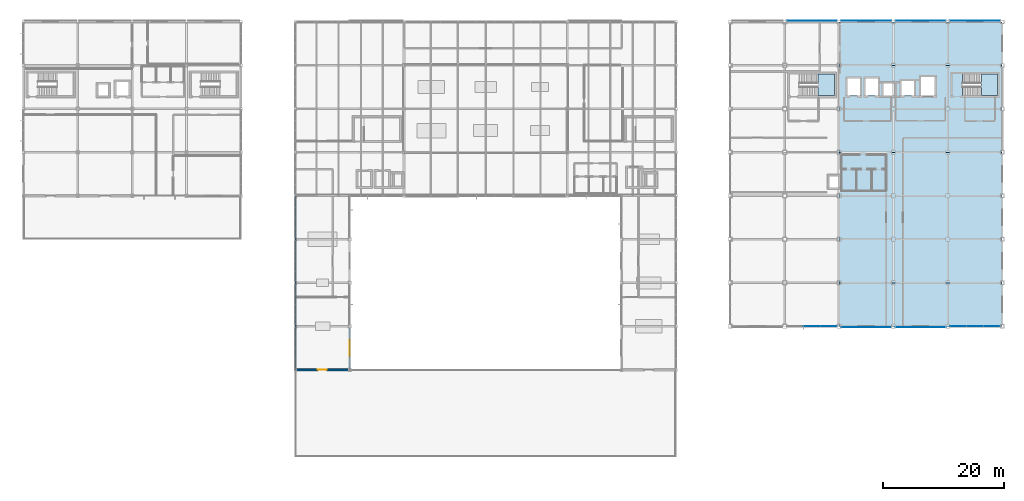
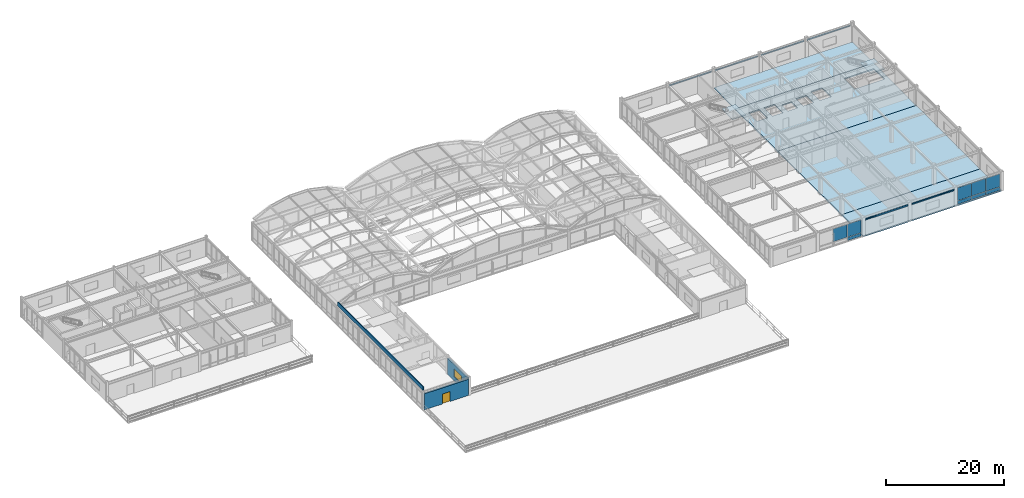
# One storey, part 83 of 106: 15 plates, 6 slabs, 3 walls, 1 door, 1 window, 2 openings, 4 elements without a shape of their own.
"""IFC4 building model written with IfcOpenShell, lengths in metres."""

from ifc_helpers import new_model, si_unit, direction, frame, frame_2d, origin, origin_2d, place, context, subcontext, project, spatial, polyline, rectangle, outline, extrude, material, layer, layer_set, type_object, element, fill, aggregate, save


model = new_model("IFC4")

# Units and contexts
model_context = context("Model", 3, precision=1e-05, world=origin(), true_north=direction((0.0, 1.0)))
body_context = subcontext(model_context, "Body", "Model", "MODEL_VIEW")
ifc_project = project(units=[si_unit("LENGTHUNIT", "METRE"), si_unit("AREAUNIT", "SQUARE_METRE"), si_unit("VOLUMEUNIT", "CUBIC_METRE"), si_unit("PLANEANGLEUNIT", "RADIAN"), si_unit("MASSUNIT", "GRAM", prefix="KILO")], contexts=[model_context])

# Site, building, storey
site_placement = place(None, origin())
site = spatial("IfcSite", under=ifc_project, at=site_placement, CompositionType="ELEMENT")
building_placement = place(site_placement, origin())
building = spatial("IfcBuilding", under=site, at=building_placement, Name="Kazanami Central Library", CompositionType="ELEMENT")
storey_placement = place(building_placement, frame((0.0, 0.0, 12.800048828125)))
storey = spatial("IfcBuildingStorey", under=building, at=storey_placement, Name="L04", CompositionType="ELEMENT", Elevation=12.800048828125)

# Curtain wall, plates
ifc_material_1 = material(Name="Acid-Etched Low-E Laminated Glass", Category="glass")
curtain_wall_type_1 = type_object("IfcCurtainWallType", Name="CW-8350x3525-M275", PredefinedType="USERDEFINED", material=ifc_material_1)
curtain_wall_1_placement = place(storey_placement, origin())
curtain_wall_1 = element("IfcCurtainWall", 1, at=curtain_wall_1_placement, inside=storey, type_object=curtain_wall_type_1, Name="Unitised Curtain Wall CW-37 L04 S-G-14", ObjectType="UNITISED CURTAIN WALL", PredefinedType="USERDEFINED")
ifc_layer_1 = layer(ifc_material_1, 0.035888671875, Name="Acid-Etched Low-E Laminated Glass")
ifc_layer_set_1 = layer_set([ifc_layer_1], Name="Acid-Etched Low-E Laminated Glass")
plate_type_1 = type_object("IfcPlateType", Name="PLT-CW-P1", PredefinedType="CURTAIN_PANEL", material=ifc_layer_set_1)
plate_1_placement = place(storey_placement, frame((130.5, 43.199951171875, 0.8125), z_axis=(0.0, 0.0, 1.0), x_axis=(1.0, 0.0, 0.0)))
plate_1 = element("IfcPlate", 2, at=plate_1_placement, type_object=plate_type_1, Name="CW-37 panel 2.2", PredefinedType="CURTAIN_PANEL", context=body_context, shape_type="SweptSolid", body=[
    extrude(rectangle(XDim=2.71826171875, YDim=0.035888671875, at=origin_2d()), origin(), (0.0, 0.0, 1.0), 2.6474609375),
])
plate_2_placement = place(storey_placement, frame((133.26708984375, 43.199951171875, 0.8125), z_axis=(0.0, 0.0, 1.0), x_axis=(1.0, 0.0, 0.0)))
plate_2 = element("IfcPlate", 3, at=plate_2_placement, type_object=plate_type_1, Name="CW-37 panel 3.2", PredefinedType="CURTAIN_PANEL", context=body_context, shape_type="SweptSolid", body=[
    extrude(rectangle(XDim=2.685791015625, YDim=0.035888671875, at=origin_2d()), origin(), (0.0, 0.0, 1.0), 2.6474609375),
])

curtain_wall_type_2 = type_object("IfcCurtainWallType", Name="CW-8375x3525-M275", PredefinedType="USERDEFINED", material=ifc_material_1)
curtain_wall_2_placement = place(storey_placement, origin())
curtain_wall_2 = element("IfcCurtainWall", 4, at=curtain_wall_2_placement, inside=storey, type_object=curtain_wall_type_2, Name="Unitised Curtain Wall CW-38 L04 S-G-17", ObjectType="UNITISED CURTAIN WALL", PredefinedType="USERDEFINED")
ifc_layer_2 = layer(ifc_material_1, 0.0439453125, Name="Acid-Etched Low-E Laminated Glass")
ifc_layer_set_2 = layer_set([ifc_layer_2], Name="Acid-Etched Low-E Laminated Glass")
plate_type_2 = type_object("IfcPlateType", Name="PLT-CW-P2", PredefinedType="CURTAIN_PANEL", material=ifc_layer_set_2)
plate_3_placement = place(storey_placement, frame((154.737060546875, 43.199951171875, 0.8125), z_axis=(0.0, 0.0, 1.0), x_axis=(1.0, 0.0, 0.0)))
plate_3 = element("IfcPlate", 5, at=plate_3_placement, type_object=plate_type_2, Name="CW-38 panel 1.2", PredefinedType="CURTAIN_PANEL", context=body_context, shape_type="SweptSolid", body=[
    extrude(rectangle(XDim=2.694091796875, YDim=0.0439453125, at=origin_2d()), origin(), (0.0, 0.0, 1.0), 2.6474609375),
])
plate_4_placement = place(storey_placement, frame((157.512451171875, 43.199951171875, 0.8125), z_axis=(0.0, 0.0, 1.0), x_axis=(1.0, 0.0, 0.0)))
plate_4 = element("IfcPlate", 6, at=plate_4_placement, type_object=plate_type_2, Name="CW-38 panel 2.2", PredefinedType="CURTAIN_PANEL", context=body_context, shape_type="SweptSolid", body=[
    extrude(rectangle(XDim=2.7265625, YDim=0.0439453125, at=origin_2d()), origin(), (0.0, 0.0, 1.0), 2.6474609375),
])
plate_5_placement = place(storey_placement, frame((160.287841796875, 43.199951171875, 0.8125), z_axis=(0.0, 0.0, 1.0), x_axis=(1.0, 0.0, 0.0)))
plate_5 = element("IfcPlate", 7, at=plate_5_placement, type_object=plate_type_2, Name="CW-38 panel 3.2", PredefinedType="CURTAIN_PANEL", context=body_context, shape_type="SweptSolid", body=[
    extrude(rectangle(XDim=2.694091796875, YDim=0.0439453125, at=origin_2d()), origin(), (0.0, 0.0, 1.0), 2.6474609375),
])

# Plate
ifc_material_2 = material(Name="Anodised Aluminium A5052-H32", Category="aluminium")
ifc_layer_3 = layer(ifc_material_2, 0.052001953125, Name="Anodised Aluminium A5052-H32")
ifc_layer_set_3 = layer_set([ifc_layer_3], Name="Anodised Aluminium A5052-H32")
plate_type_3 = type_object("IfcPlateType", Name="PLT-CW-SP2", PredefinedType="CURTAIN_PANEL", material=ifc_layer_set_3)
plate_6_placement = place(storey_placement, frame((133.26708984375, 43.199951171875, 0.06494140625), z_axis=(0.0, 0.0, 1.0), x_axis=(1.0, 0.0, 0.0)))
plate_6 = element("IfcPlate", 8, at=plate_6_placement, type_object=plate_type_3, Name="CW-37 panel 3.1", PredefinedType="CURTAIN_PANEL", context=body_context, shape_type="SweptSolid", body=[
    extrude(rectangle(XDim=2.685791015625, YDim=0.052001953125, at=origin_2d()), origin(), (0.0, 0.0, 1.0), 0.6826171875),
])

aggregate(curtain_wall_1, [plate_1, plate_6, plate_2])

plate_7_placement = place(storey_placement, frame((154.737060546875, 43.199951171875, 0.06494140625), z_axis=(0.0, 0.0, 1.0), x_axis=(1.0, 0.0, 0.0)))
plate_7 = element("IfcPlate", 9, at=plate_7_placement, type_object=plate_type_3, Name="CW-38 panel 1.1", PredefinedType="CURTAIN_PANEL", context=body_context, shape_type="SweptSolid", body=[
    extrude(rectangle(XDim=2.694091796875, YDim=0.052001953125, at=origin_2d()), origin(), (0.0, 0.0, 1.0), 0.6826171875),
])

plate_8_placement = place(storey_placement, frame((157.512451171875, 43.199951171875, 0.06494140625), z_axis=(0.0, 0.0, 1.0), x_axis=(1.0, 0.0, 0.0)))
plate_8 = element("IfcPlate", 10, at=plate_8_placement, type_object=plate_type_3, Name="CW-38 panel 2.1", PredefinedType="CURTAIN_PANEL", context=body_context, shape_type="SweptSolid", body=[
    extrude(rectangle(XDim=2.7265625, YDim=0.052001953125, at=origin_2d()), origin(), (0.0, 0.0, 1.0), 0.6826171875),
])

plate_9_placement = place(storey_placement, frame((160.287841796875, 43.199951171875, 0.06494140625), z_axis=(0.0, 0.0, 1.0), x_axis=(1.0, 0.0, 0.0)))
plate_9 = element("IfcPlate", 11, at=plate_9_placement, type_object=plate_type_3, Name="CW-38 panel 3.1", PredefinedType="CURTAIN_PANEL", context=body_context, shape_type="SweptSolid", body=[
    extrude(rectangle(XDim=2.694091796875, YDim=0.052001953125, at=origin_2d()), origin(), (0.0, 0.0, 1.0), 0.6826171875),
])

aggregate(curtain_wall_2, [plate_7, plate_3, plate_8, plate_4, plate_9, plate_5])

# Plates
ifc_layer_4 = layer(ifc_material_2, 0.010009765625, Name="Anodised Aluminium A5052-H32")
ifc_layer_set_4 = layer_set([ifc_layer_4], Name="Anodised Aluminium A5052-H32")
plate_type_4 = type_object("IfcPlateType", Name="PLT-SPN-10", PredefinedType="SHEET", material=ifc_layer_set_4)
plate_10_placement = place(storey_placement, frame((130.5, 93.764892578125, 3.1796875), z_axis=(0.0, 0.0, 1.0), x_axis=(-1.0, 0.0, 0.0)))
element("IfcPlate", 12, at=plate_10_placement, inside=storey, type_object=plate_type_4, Name="Architectural Spandrel Sheet SPN-10 L04 N-O-14", PredefinedType="SHEET", context=body_context, shape_type="SweptSolid", body=[
    extrude(rectangle(XDim=8.300048828125, YDim=0.010009765625, at=origin_2d()), origin(), (0.0, 0.0, 1.0), 0.300048828125),
])
ifc_layer_5 = layer(ifc_material_2, 0.011962890625, Name="Anodised Aluminium A5052-H32")
ifc_layer_set_5 = layer_set([ifc_layer_5], Name="Anodised Aluminium A5052-H32")
plate_type_5 = type_object("IfcPlateType", Name="PLT-SPN-12", PredefinedType="SHEET", material=ifc_layer_set_5)
plate_11_placement = place(storey_placement, frame((139.5, 43.033935546875, 3.21484375), z_axis=(0.0, 0.0, 1.0), x_axis=(1.0, 0.0, 0.0)))
element("IfcPlate", 13, at=plate_11_placement, inside=storey, type_object=plate_type_5, Name="Architectural Spandrel Sheet SPN-12 L04 S-G-15", PredefinedType="SHEET", context=body_context, shape_type="SweptSolid", body=[
    extrude(rectangle(XDim=8.25, YDim=0.011962890625, at=origin_2d()), origin(), (0.0, 0.0, 1.0), 0.300048828125),
])
plate_12_placement = place(storey_placement, frame((139.5, 93.76611328125, 3.1796875), z_axis=(0.0, 0.0, 1.0), x_axis=(-1.0, 0.0, 0.0)))
element("IfcPlate", 14, at=plate_12_placement, inside=storey, type_object=plate_type_5, Name="Architectural Spandrel Sheet SPN-12 L04 N-O-15", PredefinedType="SHEET", context=body_context, shape_type="SweptSolid", body=[
    extrude(rectangle(XDim=8.300048828125, YDim=0.011962890625, at=origin_2d()), origin(), (0.0, 0.0, 1.0), 0.300048828125),
])
ifc_layer_6 = layer(ifc_material_2, 0.013916015625, Name="Anodised Aluminium A5052-H32")
ifc_layer_set_6 = layer_set([ifc_layer_6], Name="Anodised Aluminium A5052-H32")
plate_type_6 = type_object("IfcPlateType", Name="PLT-SPN-14", PredefinedType="SHEET", material=ifc_layer_set_6)
plate_13_placement = place(storey_placement, frame((148.5, 43.032958984375, 3.21484375), z_axis=(0.0, 0.0, 1.0), x_axis=(1.0, 0.0, 0.0)))
element("IfcPlate", 15, at=plate_13_placement, inside=storey, type_object=plate_type_6, Name="Architectural Spandrel Sheet SPN-14 L04 S-G-16", PredefinedType="SHEET", context=body_context, shape_type="SweptSolid", body=[
    extrude(rectangle(XDim=8.25, YDim=0.013916015625, at=origin_2d()), origin(), (0.0, 0.0, 1.0), 0.300048828125),
])
plate_14_placement = place(storey_placement, frame((148.5, 93.76708984375, 3.1796875), z_axis=(0.0, 0.0, 1.0), x_axis=(-1.0, 0.0, 0.0)))
element("IfcPlate", 16, at=plate_14_placement, inside=storey, type_object=plate_type_6, Name="Architectural Spandrel Sheet SPN-14 L04 N-O-16", PredefinedType="SHEET", context=body_context, shape_type="SweptSolid", body=[
    extrude(rectangle(XDim=8.300048828125, YDim=0.013916015625, at=origin_2d()), origin(), (0.0, 0.0, 1.0), 0.300048828125),
])
ifc_layer_7 = layer(ifc_material_2, 0.01611328125, Name="Anodised Aluminium A5052-H32")
ifc_layer_set_7 = layer_set([ifc_layer_7], Name="Anodised Aluminium A5052-H32")
plate_type_7 = type_object("IfcPlateType", Name="PLT-SPN-16", PredefinedType="SHEET", material=ifc_layer_set_7)
plate_15_placement = place(storey_placement, frame((157.5, 93.76806640625, 3.1796875), z_axis=(0.0, 0.0, 1.0), x_axis=(-1.0, 0.0, 0.0)))
element("IfcPlate", 17, at=plate_15_placement, inside=storey, type_object=plate_type_7, Name="Architectural Spandrel Sheet SPN-16 L04 N-O-17", PredefinedType="SHEET", context=body_context, shape_type="SweptSolid", body=[
    extrude(rectangle(XDim=8.300048828125, YDim=0.01611328125, at=origin_2d()), origin(), (0.0, 0.0, 1.0), 0.300048828125),
])

# Slabs
ifc_material_3 = material(Name="Concrete Fc36 (36 MPa)", Category="concrete")
ifc_layer_8 = layer(ifc_material_3, 0.2548828125, Name="Concrete Fc36 (36 MPa)")
ifc_layer_set_8 = layer_set([ifc_layer_8], Name="Concrete Fc36 (36 MPa)")
slab_type_1 = type_object("IfcSlabType", Name="SLB-FLR-255", PredefinedType="FLOOR", material=ifc_layer_set_8)
slab_1_placement = place(storey_placement, frame((0.0, 0.0, -0.255126953125)))
element("IfcSlab", 18, at=slab_1_placement, inside=storey, type_object=slab_type_1, Name="Composite Floor Slab L04 V2-MAIN Zone 23", PredefinedType="FLOOR", context=body_context, shape_type="SweptSolid", body=[
    extrude(outline(polyline([(135.0, 43.199951171875), (162.0, 43.199951171875), (162.0, 50.39990234375), (135.0, 50.39990234375), (135.0, 43.199951171875)])), origin(), (0.0, 0.0, 1.0), 0.255126953125),
])
slab_2_placement = place(storey_placement, frame((0.0, 0.0, -0.255126953125)))
element("IfcSlab", 19, at=slab_2_placement, inside=storey, type_object=slab_type_1, Name="Composite Floor Slab L04 V2-MAIN Zone 24", PredefinedType="FLOOR", context=body_context, shape_type="SweptSolid", body=[
    extrude(outline(polyline([(135.0, 50.39990234375), (162.0, 50.39990234375), (162.0, 72.0), (135.0, 72.0), (135.0, 50.39990234375)])), origin(), (0.0, 0.0, 1.0), 0.255126953125),
])
slab_3_placement = place(storey_placement, frame((0.0, 0.0, -0.255126953125)))
element("IfcSlab", 20, at=slab_3_placement, inside=storey, type_object=slab_type_1, Name="Composite Floor Slab L04 V2-MAIN Zone 25", PredefinedType="FLOOR", context=body_context, shape_type="SweptSolid", body=[
    extrude(outline(polyline([(135.0, 72.0), (162.0, 72.0), (162.0, 86.39990234375), (135.0, 86.39990234375), (135.0, 72.0)]), holes=[polyline([(155.39990234375, 81.375), (161.22509765625, 81.375), (161.22509765625, 84.925048828125), (155.39990234375, 84.925048828125), (155.39990234375, 81.375)]), polyline([(136.375, 81.375), (138.425048828125, 81.375), (138.425048828125, 84.22509765625), (136.375, 84.22509765625), (136.375, 81.375)]), polyline([(139.375, 81.375), (141.425048828125, 81.375), (141.425048828125, 84.22509765625), (139.375, 84.22509765625), (139.375, 81.375)]), polyline([(145.375, 81.375), (147.425048828125, 81.375), (147.425048828125, 83.824951171875), (145.375, 83.824951171875), (145.375, 81.375)]), polyline([(148.574951171875, 81.375), (150.824951171875, 81.375), (150.824951171875, 84.425048828125), (148.574951171875, 84.425048828125), (148.574951171875, 81.375)]), polyline([(142.35009765625, 81.35009765625), (144.25, 81.35009765625), (144.25, 83.449951171875), (142.35009765625, 83.449951171875), (142.35009765625, 81.35009765625)])]), origin(), (0.0, 0.0, 1.0), 0.255126953125),
])
slab_4_placement = place(storey_placement, frame((0.0, 0.0, -0.255126953125)))
element("IfcSlab", 21, at=slab_4_placement, inside=storey, type_object=slab_type_1, Name="Composite Floor Slab L04 V2-MAIN Zone 26", PredefinedType="FLOOR", context=body_context, shape_type="SweptSolid", body=[
    extrude(outline(polyline([(135.0, 86.39990234375), (162.0, 86.39990234375), (162.0, 93.60009765625), (135.0, 93.60009765625), (135.0, 86.39990234375)])), origin(), (0.0, 0.0, 1.0), 0.255126953125),
])

# Stair, slab
stair_type = type_object("IfcStairType", Name="STR-T42", PredefinedType="HALF_TURN_STAIR", material=ifc_material_3)
stair_1_placement = place(storey_placement, origin())
stair_1 = element("IfcStair", 22, at=stair_1_placement, inside=storey, type_object=stair_type, Name="Enclosed Escape Stair ST-01 (L04)", PredefinedType="HALF_TURN_STAIR")
ifc_layer_9 = layer(ifc_material_3, 0.179931640625, Name="Concrete Fc36 (36 MPa)")
ifc_layer_set_9 = layer_set([ifc_layer_9], Name="Concrete Fc36 (36 MPa)")
slab_type_2 = type_object("IfcSlabType", Name="SLB-LND-180", PredefinedType="LANDING", material=ifc_layer_set_9)
slab_5_placement = place(storey_placement, frame((0.0, 0.0, 1.919921875)))
slab_5 = element("IfcSlab", 23, at=slab_5_placement, type_object=slab_type_2, Name="ST-01 landing 1", PredefinedType="LANDING", context=body_context, shape_type="SweptSolid", body=[
    extrude(outline(polyline([(131.548095703125, 81.375), (134.22509765625, 81.375), (134.22509765625, 84.925048828125), (131.548095703125, 84.925048828125), (131.548095703125, 81.375)])), origin(), (0.0, 0.0, 1.0), 0.179931640625),
])
aggregate(stair_1, [slab_5])

stair_2_placement = place(storey_placement, origin())
stair_2 = element("IfcStair", 24, at=stair_2_placement, inside=storey, type_object=stair_type, Name="Enclosed Escape Stair ST-02 (L04)", PredefinedType="HALF_TURN_STAIR")
slab_6_placement = place(storey_placement, frame((0.0, 0.0, 1.919921875)))
slab_6 = element("IfcSlab", 25, at=slab_6_placement, type_object=slab_type_2, Name="ST-02 landing 1", PredefinedType="LANDING", context=body_context, shape_type="SweptSolid", body=[
    extrude(outline(polyline([(158.548095703125, 81.375), (161.22509765625, 81.375), (161.22509765625, 84.925048828125), (158.548095703125, 84.925048828125), (158.548095703125, 81.375)])), origin(), (0.0, 0.0, 1.0), 0.179931640625),
])
aggregate(stair_2, [slab_6])

# Wall, opening, window
ifc_layer_10 = layer(ifc_material_3, 0.219970703125, Name="Concrete Fc36 (36 MPa)")
ifc_material_4 = material(Name="Extruded Polystyrene XPS", Category="earth")
ifc_layer_11 = layer(ifc_material_4, 0.050048828125, Name="Extruded Polystyrene XPS")
ifc_material_5 = material(Name="Honed Inada Granite", Category="masonry")
ifc_layer_12 = layer(ifc_material_5, 0.030029296875, Name="Honed Inada Granite")
ifc_layer_set_10 = layer_set([ifc_layer_10, ifc_layer_11, ifc_layer_12], Name="Concrete Fc36 (36 MPa)")
wall_type_1 = type_object("IfcWallType", Name="WAL-EW-300", PredefinedType="STANDARD", material=ifc_layer_set_10)
wall_1_placement = place(storey_placement, frame((54.0, 42.97509765625, 0.0), z_axis=(0.0, 0.0, 1.0), x_axis=(0.0, -1.0, 0.0)))
wall_1 = element("IfcWall", 26, at=wall_1_placement, inside=storey, type_object=wall_type_1, Name="Exterior Facade Wall EW-300 L04 E-7-05", PredefinedType="STANDARD", context=body_context, shape_type="SweptSolid", body=[
    extrude(rectangle(XDim=6.75, YDim=0.300048828125, at=frame_2d((3.375, 0.0))), origin(), (0.0, 0.0, 1.0), 3.329833984375),
])
opening_1_placement = place(wall_1_placement, frame((2.074951171875, 0.0, 0.85009765625)))
opening_1 = element("IfcOpeningElement", 27, at=opening_1_placement, cuts=wall_1, Name="Opening WN-13", PredefinedType="OPENING", context=body_context, shape_type="SweptSolid", body=[
    extrude(rectangle(XDim=2.60009765625, YDim=1.60009765625, at=frame_2d((1.300048828125, 0.800048828125))), frame((0.0, 0.162109375, 0.0), z_axis=(0.0, -1.0, 0.0), x_axis=(1.0, 0.0, 0.0)), (0.0, 0.0, 1.0), 0.323974609375),
])
ifc_material_6 = material(Name="Low-E Insulated Triple Glass", Category="glass")
window_type = type_object("IfcWindowType", Name="WIN-WN-13", PartitioningType="DOUBLE_PANEL_VERTICAL", PredefinedType="WINDOW", material=ifc_material_6)
window_placement = place(opening_1_placement, origin())
window = element("IfcWindow", 28, at=window_placement, inside=storey, type_object=window_type, Name="Facade Window WN-13 L04 E-7-05", OverallHeight=1.60009765625, OverallWidth=2.60009765625, PartitioningType="DOUBLE_PANEL_VERTICAL", PredefinedType="WINDOW", context=body_context, shape_type="SweptSolid", body=[
    extrude(rectangle(XDim=2.60009765625, YDim=1.60009765625, at=frame_2d((1.300048828125, 0.800048828125))), frame((0.0, 0.030029296875, 0.0), z_axis=(0.0, -1.0, 0.0), x_axis=(1.0, 0.0, 0.0)), (0.0, 0.0, 1.0), 0.06005859375),
])
fill(opening_1, window)

# Wall, opening, door
ifc_layer_13 = layer(ifc_material_3, 0.239990234375, Name="Concrete Fc36 (36 MPa)")
ifc_layer_14 = layer(ifc_material_4, 0.050048828125, Name="Extruded Polystyrene XPS")
ifc_layer_15 = layer(ifc_material_5, 0.030029296875, Name="Honed Inada Granite")
ifc_layer_set_11 = layer_set([ifc_layer_13, ifc_layer_14, ifc_layer_15], Name="Concrete Fc36 (36 MPa)")
wall_type_2 = type_object("IfcWallType", Name="WAL-EW-320", PredefinedType="STANDARD", material=ifc_layer_set_11)
wall_2_placement = place(storey_placement, frame((45.199951171875, 36.0, 0.0), z_axis=(0.0, 0.0, 1.0), x_axis=(1.0, 0.0, 0.0)))
wall_2 = element("IfcWall", 29, at=wall_2_placement, inside=storey, type_object=wall_type_2, Name="Exterior Facade Wall EW-320 L04 S-F-05", PredefinedType="STANDARD", context=body_context, shape_type="SweptSolid", body=[
    extrude(rectangle(XDim=8.574951171875, YDim=0.320068359375, at=frame_2d((4.28759765625, 0.0))), origin(), (0.0, 0.0, 1.0), 3.329833984375),
])
opening_2_placement = place(wall_2_placement, frame((3.53759765625, 0.0, 0.0)))
opening_2 = element("IfcOpeningElement", 30, at=opening_2_placement, cuts=wall_2, Name="Opening ED-T4", PredefinedType="OPENING", context=body_context, shape_type="SweptSolid", body=[
    extrude(rectangle(XDim=1.5, YDim=2.050048828125, at=frame_2d((0.75, 1.02490234375))), frame((0.0, 0.171875, 0.0), z_axis=(0.0, -1.0, 0.0), x_axis=(1.0, 0.0, 0.0)), (0.0, 0.0, 1.0), 0.343994140625),
])
ifc_material_7 = material(Name="Anodised Aluminium A6063-T5", Category="aluminium")
door_type = type_object("IfcDoorType", Name="DOR-ED-T4", OperationType="DOUBLE_DOOR_SINGLE_SWING", PredefinedType="DOOR", material=ifc_material_7)
door_placement = place(opening_2_placement, frame((1.5, 0.0, 0.0), z_axis=(0.0, 0.0, 1.0), x_axis=(-1.0, 0.0, 0.0)))
door = element("IfcDoor", 31, at=door_placement, inside=storey, type_object=door_type, Name="Reading Terrace Access Door L04 S-F-05", OperationType="DOUBLE_DOOR_SINGLE_SWING", OverallHeight=2.050048828125, OverallWidth=1.5, PredefinedType="DOOR", context=body_context, shape_type="SweptSolid", body=[
    extrude(rectangle(XDim=1.5, YDim=2.050048828125, at=frame_2d((0.75, 1.02490234375))), frame((0.0, 0.02490234375, 0.0), z_axis=(0.0, -1.0, 0.0), x_axis=(1.0, 0.0, 0.0)), (0.0, 0.0, 1.0), 0.050048828125),
])
fill(opening_2, door)

# Wall
ifc_layer_16 = layer(ifc_material_3, 0.18994140625, Name="Concrete Fc36 (36 MPa)")
ifc_layer_set_12 = layer_set([ifc_layer_16], Name="Concrete Fc36 (36 MPa)")
wall_type_3 = type_object("IfcWallType", Name="WAL-PW-190", PredefinedType="PARAPET", material=ifc_layer_set_12)
wall_3_placement = place(storey_placement, frame((45.094970703125, 36.0, 4.0), z_axis=(0.0, 0.0, 1.0), x_axis=(0.0, 1.0, 0.0)))
element("IfcWall", 32, at=wall_3_placement, inside=storey, type_object=wall_type_3, Name="Roof Eave Parapet V1W-W", PredefinedType="PARAPET", context=body_context, shape_type="SweptSolid", body=[
    extrude(rectangle(XDim=28.800048828125, YDim=0.18994140625, at=frame_2d((14.39990234375, 0.0))), origin(), (0.0, 0.0, 1.0), 0.75),
])

save(model, "model.ifc")
